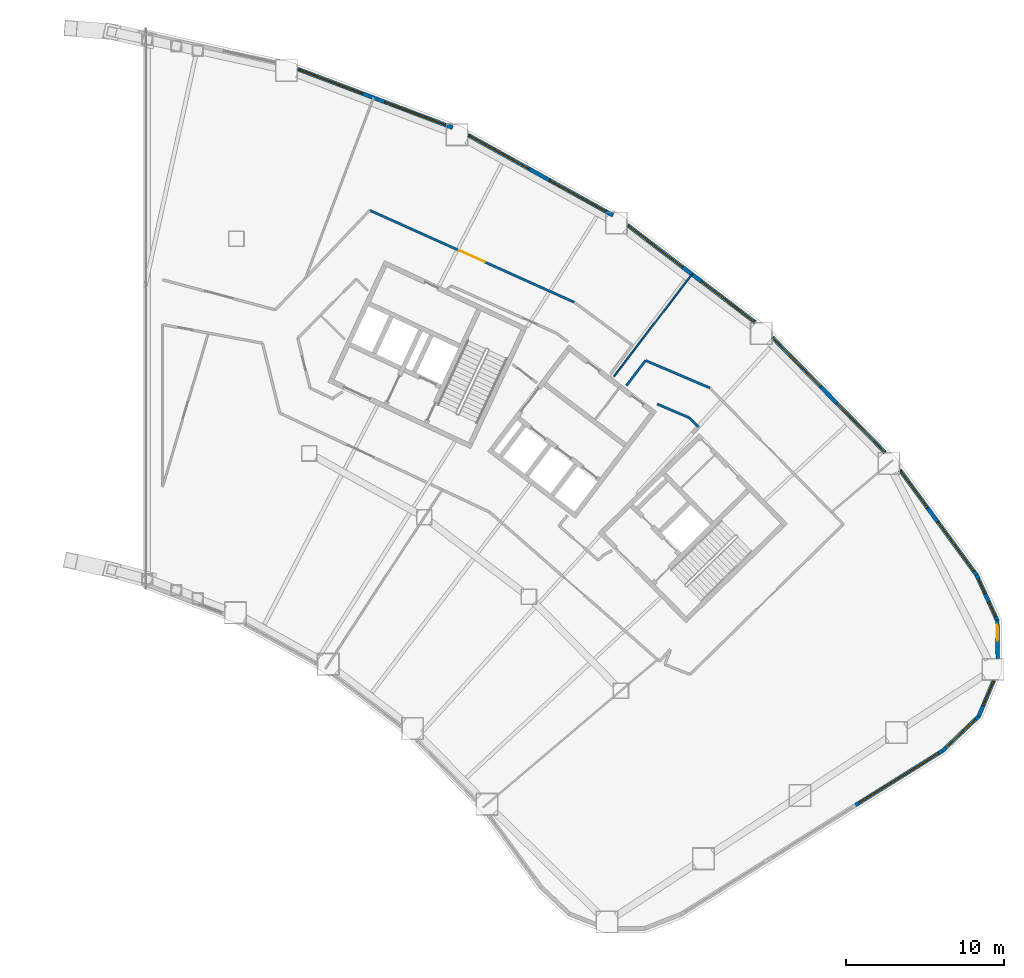
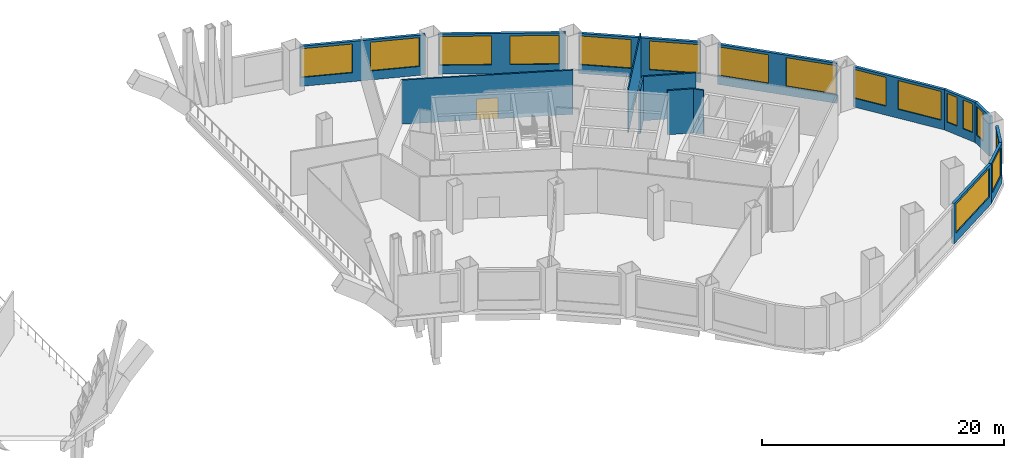
# One storey, part 11 of 14: 16 walls, 16 windows, 1 door, 17 openings.
"""IFC4 building model written with IfcOpenShell, lengths in metres."""

import ifcopenshell
import ifcopenshell.guid

model = None  # the IFC model being written
_history = None  # IfcOwnerHistory: only IFC2X3 demands one
_inside = {}  # id of a spatial element -> (the spatial element, [elements in it])
_under = {}  # id of a project, library or spatial element -> (it, [spatial elements below it])
_declared = {}  # id of a project -> (the project, [libraries it declares])
_typed = {}  # id of a type object -> (the type object, [elements of that type])
_made_of = {}  # id of a material, layer set ... -> (it, [elements and type objects made of it])


def new_model(schema):
    """Start an empty IFC model of exactly this schema.

    Asked for "IFC4X3", IfcOpenShell would pick the latest addendum, in which some entities
    have other attributes; the version numbers below select the first issue.
    IFC2X3 requires an IfcOwnerHistory on every rooted entity: one is made here for all.
    """
    global model, _history
    if schema == "IFC4X3":
        model = ifcopenshell.file(schema_version=(4, 3, 0, 0))
    else:
        model = ifcopenshell.file(schema=schema)
    _inside.clear()
    _under.clear()
    _declared.clear()
    _typed.clear()
    _made_of.clear()
    _history = None
    if model.schema == "IFC2X3":
        org = make("IfcOrganization", Name="unknown")
        user = make(
            "IfcPersonAndOrganization",
            ThePerson=make("IfcPerson", FamilyName="unknown"),
            TheOrganization=org,
        )
        app = make(
            "IfcApplication",
            ApplicationDeveloper=org,
            Version="unknown",
            ApplicationFullName="unknown",
            ApplicationIdentifier="unknown",
        )
        _history = make(
            "IfcOwnerHistory",
            OwningUser=user,
            OwningApplication=app,
            ChangeAction="ADDED",
            CreationDate=0,
        )
    return model


def make(cls, **values):
    """One entity of the class cls with the attributes given. An attribute that is None is left unset."""
    return model.create_entity(
        cls, **{name: value for name, value in values.items() if value is not None}
    )


def rooted(cls, **values):
    """An entity with a GlobalId (a new one), such as an element, a storey or a relation."""
    return make(cls, GlobalId=ifcopenshell.guid.new(), OwnerHistory=_history, **values)


def si_unit(unit_type, name, prefix=None):
    """IfcSIUnit, for example si_unit("LENGTHUNIT", "METRE", prefix="MILLI")."""
    return make("IfcSIUnit", UnitType=unit_type, Prefix=prefix, Name=name)


def assignment(units):
    """IfcUnitAssignment: the units of a project."""
    return None if units is None else make("IfcUnitAssignment", Units=units)


def point(xyz):
    """IfcCartesianPoint."""
    return None if xyz is None else make("IfcCartesianPoint", Coordinates=xyz)


def direction(xyz):
    """IfcDirection."""
    return None if xyz is None else make("IfcDirection", DirectionRatios=xyz)


def frame(location, z_axis=None, x_axis=None):
    """IfcAxis2Placement3D, a coordinate frame: its origin and axes. An axis left out is left unset."""
    return make(
        "IfcAxis2Placement3D",
        Location=point(location),
        Axis=direction(z_axis),
        RefDirection=direction(x_axis),
    )


def frame_2d(location, x_axis=None):
    """IfcAxis2Placement2D, a coordinate frame in the plane: its origin and x axis."""
    return make(
        "IfcAxis2Placement2D", Location=point(location), RefDirection=direction(x_axis)
    )


def origin():
    """The frame at (0, 0, 0) with its axes left unset."""
    return frame((0.0, 0.0, 0.0))


def place(relative_to, where):
    """IfcLocalPlacement: puts the frame where relative to a parent placement (None: the world)."""
    return make(
        "IfcLocalPlacement", PlacementRelTo=relative_to, RelativePlacement=where
    )


def context(
    kind, dimensions, precision=None, world=None, true_north=None, identifier=None
):
    """IfcGeometricRepresentationContext, for example the 3D "Model" context."""
    return make(
        "IfcGeometricRepresentationContext",
        ContextIdentifier=identifier,
        ContextType=kind,
        CoordinateSpaceDimension=dimensions,
        Precision=precision,
        WorldCoordinateSystem=world,
        TrueNorth=true_north,
    )


def subcontext(parent, identifier, kind, view, scale=None):
    """IfcGeometricRepresentationSubContext, for example "Body" below "Model"."""
    return make(
        "IfcGeometricRepresentationSubContext",
        ContextIdentifier=identifier,
        ContextType=kind,
        ParentContext=parent,
        TargetScale=scale,
        TargetView=view,
    )


def project(units=None, contexts=None):
    """IfcProject with its units and contexts."""
    return rooted(
        "IfcProject",
        Name="project",
        RepresentationContexts=contexts,
        UnitsInContext=assignment(units),
    )


def spatial(cls, under=None, at=None, **own):
    """A site, building, storey or space (cls), placed at a placement, below another one or the project."""
    s = rooted(cls, ObjectPlacement=at, **own)
    if under is not None:
        _under.setdefault(under.id(), (under, []))[1].append(s)
    return s


def profile(cls, at=None, kind="AREA", **sizes):
    """A parametric profile (cls). Its sizes go by their IFC names, for example OverallWidth=200.0."""
    return make(cls, ProfileType=kind, Position=at, **sizes)


def rectangle(**sizes):
    """IfcRectangleProfileDef."""
    return profile("IfcRectangleProfileDef", **sizes)


def extrude(swept, where, along, depth):
    """IfcExtrudedAreaSolid: the profile swept, set in the frame where, extruded along a direction by depth."""
    return make(
        "IfcExtrudedAreaSolid",
        SweptArea=swept,
        Position=where,
        ExtrudedDirection=direction(along),
        Depth=depth,
    )


def shape(context_of_items, identifier, shape_type, items):
    """IfcShapeRepresentation: the items that make up one representation, for example the "Body"."""
    return make(
        "IfcShapeRepresentation",
        ContextOfItems=context_of_items,
        RepresentationIdentifier=identifier,
        RepresentationType=shape_type,
        Items=items,
    )


def material(Name=None, Category=None):
    """IfcMaterial."""
    return make("IfcMaterial", Name=Name, Category=Category)


def layer(
    of_material, thickness, ventilated=None, Name=None, Category=None, Priority=None
):
    """IfcMaterialLayer: one layer of a wall or slab, of a material (None: an air gap)."""
    return make(
        "IfcMaterialLayer",
        Material=of_material,
        LayerThickness=thickness,
        IsVentilated=ventilated,
        Name=Name,
        Category=Category,
        Priority=Priority,
    )


def layer_set(layers, Name=None):
    """IfcMaterialLayerSet."""
    return make("IfcMaterialLayerSet", MaterialLayers=layers, LayerSetName=Name)


def made_of(thing, what):
    """Note that an element or type object is made of a material, layer set ...; save() writes the relation."""
    if what is not None:
        _made_of.setdefault(what.id(), (what, []))[1].append(thing)
    return thing


def type_object(cls, material=None, **own):
    """A type object (cls), such as IfcWallType, which elements share."""
    return made_of(rooted(cls, **own), material)


def element(
    cls,
    number,
    at=None,
    inside=None,
    cuts=None,
    type_object=None,
    material=None,
    context=None,
    identifier="Body",
    shape_type=None,
    held_by="IfcProductDefinitionShape",
    body=None,
    shapes=None,
    **own,
):
    """One element of the class cls, such as IfcWall. Its Tag is "e" and its number.

    at: its placement. inside: the storey or other place that contains it. cuts: it is an
    opening in that element (IfcRelVoidsElement). A single representation is given by context,
    identifier, shape_type and body (its items); several are given by shapes. held_by: the class
    of the entity that holds the representations. save() writes the other relations.
    """
    e = rooted(cls, Tag="e%d" % number, ObjectPlacement=at, **own)
    if body is not None:
        shapes = [shape(context, identifier, shape_type, body)]
    if shapes is not None:
        e.Representation = make(held_by, Representations=shapes)
    if inside is not None:
        _inside.setdefault(inside.id(), (inside, []))[1].append(e)
    if cuts is not None:
        rooted(
            "IfcRelVoidsElement", RelatingBuildingElement=cuts, RelatedOpeningElement=e
        )
    if type_object is not None:
        _typed.setdefault(type_object.id(), (type_object, []))[1].append(e)
    return made_of(e, material)


def fill(opening, filler):
    """IfcRelFillsElement: the door or window that sits in an opening."""
    return rooted(
        "IfcRelFillsElement",
        RelatingOpeningElement=opening,
        RelatedBuildingElement=filler,
    )


def aggregate(whole, parts):
    """IfcRelAggregates: a whole, such as a stair, and the parts it consists of."""
    return rooted("IfcRelAggregates", RelatingObject=whole, RelatedObjects=parts)


def save(model, path):
    """Write the relations noted so far, then the file.

    IfcRelAggregates (storeys below a building ...), IfcRelContainedInSpatialStructure (elements
    in a storey), IfcRelDefinesByType, IfcRelAssociatesMaterial and IfcRelDeclares: one each for
    every whole, place, type object, material and project.
    """
    for whole, parts in _under.values():
        aggregate(whole, parts)
    for where, things in _inside.values():
        rooted(
            "IfcRelContainedInSpatialStructure",
            RelatedElements=things,
            RelatingStructure=where,
        )
    for kind, things in _typed.values():
        rooted("IfcRelDefinesByType", RelatedObjects=things, RelatingType=kind)
    for what, things in _made_of.values():
        rooted("IfcRelAssociatesMaterial", RelatedObjects=things, RelatingMaterial=what)
    for by, libraries in _declared.values():
        rooted("IfcRelDeclares", RelatingContext=by, RelatedDefinitions=libraries)
    model.write(path)


model = new_model("IFC4")

# Units and contexts
model_context = context("Model", 3, precision=1e-05, world=origin(), true_north=direction((0.0, 1.0)))
body_context = subcontext(model_context, "Body", "Model", "MODEL_VIEW")
ifc_project = project(units=[si_unit("LENGTHUNIT", "METRE"), si_unit("AREAUNIT", "SQUARE_METRE"), si_unit("VOLUMEUNIT", "CUBIC_METRE"), si_unit("PLANEANGLEUNIT", "RADIAN"), si_unit("MASSUNIT", "GRAM", prefix="KILO")], contexts=[model_context])

# Site, building, storey
site_placement = place(None, origin())
site = spatial("IfcSite", under=ifc_project, at=site_placement, CompositionType="ELEMENT")
building_placement = place(site_placement, origin())
building = spatial("IfcBuilding", under=site, at=building_placement, Name="Tuul Gate Civic Tower", CompositionType="ELEMENT")
storey_placement = place(building_placement, frame((0.0, 0.0, 17.10009765625)))
storey = spatial("IfcBuildingStorey", under=building, at=storey_placement, Name="Level 03", CompositionType="ELEMENT", Elevation=17.10009765625)

# Walls
ifc_material_1 = material(Name="Gypsum board partition")
ifc_layer_1 = layer(ifc_material_1, 0.14990234375)
ifc_layer_set_1 = layer_set([ifc_layer_1], Name="Gypsum board partition")
wall_type_1 = type_object("IfcWallType", Name="Corridor wall P150", PredefinedType="PARTITIONING", material=ifc_layer_set_1)
wall_1_placement = place(storey_placement, frame((45.544921875, -1.79296875, 0.0), z_axis=(0.0, 0.0, 1.0), x_axis=(0.919723935642, -0.392565768002, 0.0)))
element("IfcWall", 1, at=wall_1_placement, inside=storey, type_object=wall_type_1, Name="p005", PredefinedType="PARTITIONING", context=body_context, shape_type="SweptSolid", body=[
    extrude(rectangle(XDim=4.420654296875, YDim=0.14990234375, at=frame_2d((2.21044921875, 0.0))), origin(), (0.0, 0.0, 1.0), 4.449951171875),
])
wall_2_placement = place(storey_placement, frame((44.33251953125, -3.38427734375, 0.0), z_axis=(0.0, 0.0, 1.0), x_axis=(0.605631101873, 0.795745542522, 0.0)))
element("IfcWall", 2, at=wall_2_placement, inside=storey, type_object=wall_type_1, Name="p006", PredefinedType="PARTITIONING", context=body_context, shape_type="SweptSolid", body=[
    extrude(rectangle(XDim=1.99951171875, YDim=0.14990234375, at=frame_2d((0.999755859375, 0.0))), origin(), (0.0, 0.0, 1.0), 4.449951171875),
])

# Wall, opening, door
wall_3_placement = place(storey_placement, frame((28.06201171875, 7.724609375, 0.0), z_axis=(0.0, 0.0, 1.0), x_axis=(0.912101178479, -0.409965169517, 0.0)))
wall_3 = element("IfcWall", 3, at=wall_3_placement, inside=storey, type_object=wall_type_1, Name="p010", PredefinedType="PARTITIONING", context=body_context, shape_type="SweptSolid", body=[
    extrude(rectangle(XDim=14.205322265625, YDim=0.14990234375, at=frame_2d((7.1025390625, 0.0))), origin(), (0.0, 0.0, 1.0), 4.449951171875),
])
opening_1_placement = place(wall_3_placement, frame((6.20263671875, 0.0, 0.0)))
opening_1 = element("IfcOpeningElement", 4, at=opening_1_placement, cuts=wall_3, Name="Opening QC-D02", PredefinedType="OPENING", context=body_context, shape_type="SweptSolid", body=[
    extrude(rectangle(XDim=1.800048828125, YDim=2.10009765625, at=frame_2d((0.89990234375, 1.050048828125))), frame((0.0, 0.0849609375, 0.0), z_axis=(0.0, -1.0, 0.0), x_axis=(1.0, 0.0, 0.0)), (0.0, 0.0, 1.0), 0.169921875),
])
ifc_material_2 = material(Name="Timber door leaf, double", Category="wood")
door_type = type_object("IfcDoorType", Name="Door D18", OperationType="DOUBLE_DOOR_SINGLE_SWING", PredefinedType="DOOR", material=ifc_material_2)
door_placement = place(opening_1_placement, origin())
door = element("IfcDoor", 5, at=door_placement, inside=storey, type_object=door_type, Name="Door QC-D02", OperationType="DOUBLE_DOOR_SINGLE_SWING", OverallHeight=2.10009765625, OverallWidth=1.800048828125, PredefinedType="DOOR", context=body_context, shape_type="SweptSolid", body=[
    extrude(rectangle(XDim=1.800048828125, YDim=2.10009765625, at=frame_2d((0.89990234375, 1.050048828125))), frame((0.0, 0.02490234375, 0.0), z_axis=(0.0, -1.0, 0.0), x_axis=(1.0, 0.0, 0.0)), (0.0, 0.0, 1.0), 0.050048828125),
])
fill(opening_1, door)

# Walls
wall_4_placement = place(storey_placement, frame((46.287841796875, -4.556396484375, 0.0), z_axis=(0.0, 0.0, 1.0), x_axis=(0.919676428858, -0.392677050772, 0.0)))
element("IfcWall", 6, at=wall_4_placement, inside=storey, type_object=wall_type_1, Name="p054", PredefinedType="PARTITIONING", context=body_context, shape_type="SweptSolid", body=[
    extrude(rectangle(XDim=2.20654296875, YDim=0.14990234375, at=frame_2d((1.103271484375, 0.0))), origin(), (0.0, 0.0, 1.0), 4.449951171875),
])
wall_5_placement = place(storey_placement, frame((48.317138671875, -5.4228515625, 0.0), z_axis=(0.0, 0.0, 1.0), x_axis=(0.700220101386, -0.713927033817, 0.0)))
element("IfcWall", 7, at=wall_5_placement, inside=storey, type_object=wall_type_1, Name="p055", PredefinedType="PARTITIONING", context=body_context, shape_type="SweptSolid", body=[
    extrude(rectangle(XDim=0.837158203125, YDim=0.14990234375, at=frame_2d((0.41845703125, 0.0))), origin(), (0.0, 0.0, 1.0), 4.449951171875),
])

# Wall, opening, window
ifc_material_3 = material(Name="Precast concrete C40/50", Category="concrete")
ifc_layer_2 = layer(ifc_material_3, 0.25)
ifc_layer_set_2 = layer_set([ifc_layer_2], Name="Precast concrete C40/50")
wall_type_2 = type_object("IfcWallType", Name="External wall", PredefinedType="STANDARD", material=ifc_layer_set_2)
wall_6_placement = place(storey_placement, frame((64.36962890625, -26.53076171875, 0.0), z_axis=(0.0, 0.0, 1.0), x_axis=(0.722378510216, 0.69149785826, 0.0)))
wall_6 = element("IfcWall", 8, at=wall_6_placement, inside=storey, type_object=wall_type_2, Name="External wall", PredefinedType="STANDARD", context=body_context, shape_type="SweptSolid", body=[
    extrude(rectangle(XDim=3.201904296875, YDim=0.25, at=frame_2d((1.60107421875, 0.0))), origin(), (0.0, 0.0, 1.0), 4.0498046875),
])
opening_2_placement = place(wall_6_placement, frame((0.301025390625, 0.0, 0.89990234375)))
opening_2 = element("IfcOpeningElement", 9, at=opening_2_placement, cuts=wall_6, Name="Opening W8", PredefinedType="OPENING", context=body_context, shape_type="SweptSolid", body=[
    extrude(rectangle(XDim=2.60009765625, YDim=2.89990234375, at=frame_2d((1.300048828125, 1.449951171875))), frame((0.0, 0.135009765625, 0.0), z_axis=(0.0, -1.0, 0.0), x_axis=(1.0, 0.0, 0.0)), (0.0, 0.0, 1.0), 0.27001953125),
])
ifc_material_4 = material(Name="Glass", Category="glass")
window_type_1 = type_object("IfcWindowType", Name="Window W8 2600 x 2900", PartitioningType="SINGLE_PANEL", PredefinedType="WINDOW", material=ifc_material_4)
window_1_placement = place(opening_2_placement, origin())
window_1 = element("IfcWindow", 10, at=window_1_placement, inside=storey, type_object=window_type_1, Name="Window", OverallHeight=2.89990234375, OverallWidth=2.60009765625, PartitioningType="SINGLE_PANEL", PredefinedType="WINDOW", context=body_context, shape_type="SweptSolid", body=[
    extrude(rectangle(XDim=2.60009765625, YDim=2.89990234375, at=frame_2d((1.300048828125, 1.449951171875))), frame((0.0, 0.030029296875, 0.0), z_axis=(0.0, -1.0, 0.0), x_axis=(1.0, 0.0, 0.0)), (0.0, 0.0, 1.0), 0.06005859375),
])
fill(opening_2, window_1)

wall_7_placement = place(storey_placement, frame((66.653564453125, -24.35888671875, 0.0), z_axis=(0.0, 0.0, 1.0), x_axis=(0.38573160677, 0.922611038054, 0.0)))
wall_7 = element("IfcWall", 11, at=wall_7_placement, inside=storey, type_object=wall_type_2, Name="External wall", PredefinedType="STANDARD", context=body_context, shape_type="SweptSolid", body=[
    extrude(rectangle(XDim=2.484130859375, YDim=0.25, at=frame_2d((1.2421875, 0.0))), origin(), (0.0, 0.0, 1.0), 4.0498046875),
])
opening_3_placement = place(wall_7_placement, frame((0.7509765625, 0.0, 0.89990234375)))
opening_3 = element("IfcOpeningElement", 12, at=opening_3_placement, cuts=wall_7, Name="Opening W9", PredefinedType="OPENING", context=body_context, shape_type="SweptSolid", body=[
    extrude(rectangle(XDim=1.699951171875, YDim=2.89990234375, at=frame_2d((0.85009765625, 1.449951171875))), frame((0.0, 0.135009765625, 0.0), z_axis=(0.0, -1.0, 0.0), x_axis=(1.0, 0.0, 0.0)), (0.0, 0.0, 1.0), 0.27001953125),
])
ifc_material_5 = material(Name="Glass", Category="glass")
window_type_2 = type_object("IfcWindowType", Name="Window W9 1700 x 2900", PartitioningType="SINGLE_PANEL", PredefinedType="WINDOW", material=ifc_material_5)
window_2_placement = place(opening_3_placement, origin())
window_2 = element("IfcWindow", 13, at=window_2_placement, inside=storey, type_object=window_type_2, Name="Window", OverallHeight=2.89990234375, OverallWidth=1.699951171875, PartitioningType="SINGLE_PANEL", PredefinedType="WINDOW", context=body_context, shape_type="SweptSolid", body=[
    extrude(rectangle(XDim=1.699951171875, YDim=2.89990234375, at=frame_2d((0.85009765625, 1.449951171875))), frame((0.0, 0.030029296875, 0.0), z_axis=(0.0, -1.0, 0.0), x_axis=(1.0, 0.0, 0.0)), (0.0, 0.0, 1.0), 0.06005859375),
])
fill(opening_3, window_2)

wall_8_placement = place(storey_placement, frame((67.867431640625, -20.6669921875, 0.0), z_axis=(0.0, 0.0, 1.0), x_axis=(-0.014662663038, 0.999892497378, 0.0)))
wall_8 = element("IfcWall", 14, at=wall_8_placement, inside=storey, type_object=wall_type_2, Name="External wall", PredefinedType="STANDARD", context=body_context, shape_type="SweptSolid", body=[
    extrude(rectangle(XDim=2.414306640625, YDim=0.25, at=frame_2d((1.20703125, 0.0))), origin(), (0.0, 0.0, 1.0), 4.0498046875),
])
opening_4_placement = place(wall_8_placement, frame((1.11376953125, 0.0, 0.89990234375)))
opening_4 = element("IfcOpeningElement", 15, at=opening_4_placement, cuts=wall_8, Name="Opening W10", PredefinedType="OPENING", context=body_context, shape_type="SweptSolid", body=[
    extrude(rectangle(XDim=1.0, YDim=2.89990234375, at=frame_2d((0.5, 1.449951171875))), frame((0.0, 0.135009765625, 0.0), z_axis=(0.0, -1.0, 0.0), x_axis=(1.0, 0.0, 0.0)), (0.0, 0.0, 1.0), 0.27001953125),
])
ifc_material_6 = material(Name="Glass", Category="glass")
window_type_3 = type_object("IfcWindowType", Name="Window W10 1000 x 2900", PartitioningType="SINGLE_PANEL", PredefinedType="WINDOW", material=ifc_material_6)
window_3_placement = place(opening_4_placement, origin())
window_3 = element("IfcWindow", 16, at=window_3_placement, inside=storey, type_object=window_type_3, Name="Window", OverallHeight=2.89990234375, OverallWidth=1.0, PartitioningType="SINGLE_PANEL", PredefinedType="WINDOW", context=body_context, shape_type="SweptSolid", body=[
    extrude(rectangle(XDim=1.0, YDim=2.89990234375, at=frame_2d((0.5, 1.449951171875))), frame((0.0, 0.030029296875, 0.0), z_axis=(0.0, -1.0, 0.0), x_axis=(1.0, 0.0, 0.0)), (0.0, 0.0, 1.0), 0.06005859375),
])
fill(opening_4, window_3)

# Wall, openings, windows
wall_9_placement = place(storey_placement, frame((67.843017578125, -18.302490234375, 0.0), z_axis=(0.0, 0.0, 1.0), x_axis=(-0.412481289983, 0.910966072592, 0.0)))
wall_9 = element("IfcWall", 17, at=wall_9_placement, inside=storey, type_object=wall_type_2, Name="External wall", PredefinedType="STANDARD", context=body_context, shape_type="SweptSolid", body=[
    extrude(rectangle(XDim=3.2021484375, YDim=0.25, at=frame_2d((1.60107421875, 0.0))), origin(), (0.0, 0.0, 1.0), 4.0498046875),
])
opening_5_placement = place(wall_9_placement, frame((0.300537109375, 0.0, 0.89990234375)))
opening_5 = element("IfcOpeningElement", 18, at=opening_5_placement, cuts=wall_9, Name="Opening W10", PredefinedType="OPENING", context=body_context, shape_type="SweptSolid", body=[
    extrude(rectangle(XDim=1.0, YDim=2.89990234375, at=frame_2d((0.5, 1.449951171875))), frame((0.0, 0.135009765625, 0.0), z_axis=(0.0, -1.0, 0.0), x_axis=(1.0, 0.0, 0.0)), (0.0, 0.0, 1.0), 0.27001953125),
])
opening_6_placement = place(wall_9_placement, frame((1.901611328125, 0.0, 0.89990234375)))
opening_6 = element("IfcOpeningElement", 19, at=opening_6_placement, cuts=wall_9, Name="Opening W10", PredefinedType="OPENING", context=body_context, shape_type="SweptSolid", body=[
    extrude(rectangle(XDim=1.0, YDim=2.89990234375, at=frame_2d((0.5, 1.449951171875))), frame((0.0, 0.135009765625, 0.0), z_axis=(0.0, -1.0, 0.0), x_axis=(1.0, 0.0, 0.0)), (0.0, 0.0, 1.0), 0.27001953125),
])
window_4_placement = place(opening_5_placement, origin())
window_4 = element("IfcWindow", 20, at=window_4_placement, inside=storey, type_object=window_type_3, Name="Window", OverallHeight=2.89990234375, OverallWidth=1.0, PartitioningType="SINGLE_PANEL", PredefinedType="WINDOW", context=body_context, shape_type="SweptSolid", body=[
    extrude(rectangle(XDim=1.0, YDim=2.89990234375, at=frame_2d((0.5, 1.449951171875))), frame((0.0, 0.030029296875, 0.0), z_axis=(0.0, -1.0, 0.0), x_axis=(1.0, 0.0, 0.0)), (0.0, 0.0, 1.0), 0.06005859375),
])
fill(opening_5, window_4)
window_5_placement = place(opening_6_placement, origin())
window_5 = element("IfcWindow", 21, at=window_5_placement, inside=storey, type_object=window_type_3, Name="Window", OverallHeight=2.89990234375, OverallWidth=1.0, PartitioningType="SINGLE_PANEL", PredefinedType="WINDOW", context=body_context, shape_type="SweptSolid", body=[
    extrude(rectangle(XDim=1.0, YDim=2.89990234375, at=frame_2d((0.5, 1.449951171875))), frame((0.0, 0.030029296875, 0.0), z_axis=(0.0, -1.0, 0.0), x_axis=(1.0, 0.0, 0.0)), (0.0, 0.0, 1.0), 0.06005859375),
])
fill(opening_6, window_5)

wall_10_placement = place(storey_placement, frame((66.53515625, -15.40771484375, 0.0), z_axis=(0.0, 0.0, 1.0), x_axis=(-0.589883240256, 0.807488552777, 0.0)))
wall_10 = element("IfcWall", 22, at=wall_10_placement, inside=storey, type_object=wall_type_2, Name="External wall", PredefinedType="STANDARD", context=body_context, shape_type="SweptSolid", body=[
    extrude(rectangle(XDim=8.26318359375, YDim=0.25, at=frame_2d((4.131591796875, 0.0))), origin(), (0.0, 0.0, 1.0), 4.0498046875),
])
opening_7_placement = place(wall_10_placement, frame((0.309326171875, 0.0, 0.89990234375)))
opening_7 = element("IfcOpeningElement", 23, at=opening_7_placement, cuts=wall_10, Name="Opening W11", PredefinedType="OPENING", context=body_context, shape_type="SweptSolid", body=[
    extrude(rectangle(XDim=3.89990234375, YDim=2.89990234375, at=frame_2d((1.949951171875, 1.449951171875))), frame((0.0, 0.135009765625, 0.0), z_axis=(0.0, -1.0, 0.0), x_axis=(1.0, 0.0, 0.0)), (0.0, 0.0, 1.0), 0.27001953125),
])
opening_8_placement = place(wall_10_placement, frame((5.277099609375, 0.0, 0.89990234375)))
opening_8 = element("IfcOpeningElement", 24, at=opening_8_placement, cuts=wall_10, Name="Opening W83", PredefinedType="OPENING", context=body_context, shape_type="SweptSolid", body=[
    extrude(rectangle(XDim=2.89990234375, YDim=2.89990234375, at=frame_2d((1.449951171875, 1.449951171875))), frame((0.0, 0.135009765625, 0.0), z_axis=(0.0, -1.0, 0.0), x_axis=(1.0, 0.0, 0.0)), (0.0, 0.0, 1.0), 0.27001953125),
])
ifc_material_7 = material(Name="Glass", Category="glass")
window_type_4 = type_object("IfcWindowType", Name="Window W11 3900 x 2900", PartitioningType="SINGLE_PANEL", PredefinedType="WINDOW", material=ifc_material_7)
window_6_placement = place(opening_7_placement, origin())
window_6 = element("IfcWindow", 25, at=window_6_placement, inside=storey, type_object=window_type_4, Name="Window", OverallHeight=2.89990234375, OverallWidth=3.89990234375, PartitioningType="SINGLE_PANEL", PredefinedType="WINDOW", context=body_context, shape_type="SweptSolid", body=[
    extrude(rectangle(XDim=3.89990234375, YDim=2.89990234375, at=frame_2d((1.949951171875, 1.449951171875))), frame((0.0, 0.030029296875, 0.0), z_axis=(0.0, -1.0, 0.0), x_axis=(1.0, 0.0, 0.0)), (0.0, 0.0, 1.0), 0.06005859375),
])
fill(opening_7, window_6)
ifc_material_8 = material(Name="Glass", Category="glass")
window_type_5 = type_object("IfcWindowType", Name="Window W83 2900 x 2900", PartitioningType="SINGLE_PANEL", PredefinedType="WINDOW", material=ifc_material_8)
window_7_placement = place(opening_8_placement, origin())
window_7 = element("IfcWindow", 26, at=window_7_placement, inside=storey, type_object=window_type_5, Name="Window", OverallHeight=2.89990234375, OverallWidth=2.89990234375, PartitioningType="SINGLE_PANEL", PredefinedType="WINDOW", context=body_context, shape_type="SweptSolid", body=[
    extrude(rectangle(XDim=2.89990234375, YDim=2.89990234375, at=frame_2d((1.449951171875, 1.449951171875))), frame((0.0, 0.030029296875, 0.0), z_axis=(0.0, -1.0, 0.0), x_axis=(1.0, 0.0, 0.0)), (0.0, 0.0, 1.0), 0.06005859375),
])
fill(opening_8, window_7)

wall_11_placement = place(storey_placement, frame((60.72998046875, -7.6279296875, 0.0), z_axis=(0.0, 0.0, 1.0), x_axis=(-0.700010487511, 0.714132562886, 0.0)))
wall_11 = element("IfcWall", 27, at=wall_11_placement, inside=storey, type_object=wall_type_2, Name="External wall", PredefinedType="STANDARD", context=body_context, shape_type="SweptSolid", body=[
    extrude(rectangle(XDim=10.217041015625, YDim=0.25, at=frame_2d((5.1083984375, 0.0))), origin(), (0.0, 0.0, 1.0), 4.0498046875),
])
opening_9_placement = place(wall_11_placement, frame((0.05908203125, 0.0, 0.89990234375)))
opening_9 = element("IfcOpeningElement", 28, at=opening_9_placement, cuts=wall_11, Name="Opening W13", PredefinedType="OPENING", context=body_context, shape_type="SweptSolid", body=[
    extrude(rectangle(XDim=4.300048828125, YDim=2.89990234375, at=frame_2d((2.14990234375, 1.449951171875))), frame((0.0, 0.135009765625, 0.0), z_axis=(0.0, -1.0, 0.0), x_axis=(1.0, 0.0, 0.0)), (0.0, 0.0, 1.0), 0.27001953125),
])
opening_10_placement = place(wall_11_placement, frame((5.864501953125, 0.0, 0.89990234375)))
opening_10 = element("IfcOpeningElement", 29, at=opening_10_placement, cuts=wall_11, Name="Opening W13", PredefinedType="OPENING", context=body_context, shape_type="SweptSolid", body=[
    extrude(rectangle(XDim=4.300048828125, YDim=2.89990234375, at=frame_2d((2.14990234375, 1.449951171875))), frame((0.0, 0.135009765625, 0.0), z_axis=(0.0, -1.0, 0.0), x_axis=(1.0, 0.0, 0.0)), (0.0, 0.0, 1.0), 0.27001953125),
])
ifc_material_9 = material(Name="Glass", Category="glass")
window_type_6 = type_object("IfcWindowType", Name="Window W13 4300 x 2900", PartitioningType="SINGLE_PANEL", PredefinedType="WINDOW", material=ifc_material_9)
window_8_placement = place(opening_9_placement, origin())
window_8 = element("IfcWindow", 30, at=window_8_placement, inside=storey, type_object=window_type_6, Name="Window", OverallHeight=2.89990234375, OverallWidth=4.300048828125, PartitioningType="SINGLE_PANEL", PredefinedType="WINDOW", context=body_context, shape_type="SweptSolid", body=[
    extrude(rectangle(XDim=4.300048828125, YDim=2.89990234375, at=frame_2d((2.14990234375, 1.449951171875))), frame((0.0, 0.030029296875, 0.0), z_axis=(0.0, -1.0, 0.0), x_axis=(1.0, 0.0, 0.0)), (0.0, 0.0, 1.0), 0.06005859375),
])
fill(opening_9, window_8)
window_9_placement = place(opening_10_placement, origin())
window_9 = element("IfcWindow", 31, at=window_9_placement, inside=storey, type_object=window_type_6, Name="Window", OverallHeight=2.89990234375, OverallWidth=4.300048828125, PartitioningType="SINGLE_PANEL", PredefinedType="WINDOW", context=body_context, shape_type="SweptSolid", body=[
    extrude(rectangle(XDim=4.300048828125, YDim=2.89990234375, at=frame_2d((2.14990234375, 1.449951171875))), frame((0.0, 0.030029296875, 0.0), z_axis=(0.0, -1.0, 0.0), x_axis=(1.0, 0.0, 0.0)), (0.0, 0.0, 1.0), 0.06005859375),
])
fill(opening_10, window_9)

wall_12_placement = place(storey_placement, frame((52.495361328125, 0.617919921875, 0.0), z_axis=(0.0, 0.0, 1.0), x_axis=(-0.795598395873, 0.605824390796, 0.0)))
wall_12 = element("IfcWall", 32, at=wall_12_placement, inside=storey, type_object=wall_type_2, Name="External wall", PredefinedType="STANDARD", context=body_context, shape_type="SweptSolid", body=[
    extrude(rectangle(XDim=10.186279296875, YDim=0.25, at=frame_2d((5.09326171875, 0.0))), origin(), (0.0, 0.0, 1.0), 4.0498046875),
])
opening_11_placement = place(wall_12_placement, frame((0.0849609375, 0.0, 0.89990234375)))
opening_11 = element("IfcOpeningElement", 33, at=opening_11_placement, cuts=wall_12, Name="Opening W84", PredefinedType="OPENING", context=body_context, shape_type="SweptSolid", body=[
    extrude(rectangle(XDim=4.199951171875, YDim=2.89990234375, at=frame_2d((2.10009765625, 1.449951171875))), frame((0.0, 0.135009765625, 0.0), z_axis=(0.0, -1.0, 0.0), x_axis=(1.0, 0.0, 0.0)), (0.0, 0.0, 1.0), 0.27001953125),
])
opening_12_placement = place(wall_12_placement, frame((5.797607421875, 0.0, 0.89990234375)))
opening_12 = element("IfcOpeningElement", 34, at=opening_12_placement, cuts=wall_12, Name="Opening W13", PredefinedType="OPENING", context=body_context, shape_type="SweptSolid", body=[
    extrude(rectangle(XDim=4.300048828125, YDim=2.89990234375, at=frame_2d((2.14990234375, 1.449951171875))), frame((0.0, 0.135009765625, 0.0), z_axis=(0.0, -1.0, 0.0), x_axis=(1.0, 0.0, 0.0)), (0.0, 0.0, 1.0), 0.27001953125),
])
window_10_placement = place(opening_12_placement, origin())
window_10 = element("IfcWindow", 35, at=window_10_placement, inside=storey, type_object=window_type_6, Name="Window", OverallHeight=2.89990234375, OverallWidth=4.300048828125, PartitioningType="SINGLE_PANEL", PredefinedType="WINDOW", context=body_context, shape_type="SweptSolid", body=[
    extrude(rectangle(XDim=4.300048828125, YDim=2.89990234375, at=frame_2d((2.14990234375, 1.449951171875))), frame((0.0, 0.030029296875, 0.0), z_axis=(0.0, -1.0, 0.0), x_axis=(1.0, 0.0, 0.0)), (0.0, 0.0, 1.0), 0.06005859375),
])
fill(opening_12, window_10)
ifc_material_10 = material(Name="Glass", Category="glass")
window_type_7 = type_object("IfcWindowType", Name="Window W84 4200 x 2900", PartitioningType="SINGLE_PANEL", PredefinedType="WINDOW", material=ifc_material_10)
window_11_placement = place(opening_11_placement, origin())
window_11 = element("IfcWindow", 36, at=window_11_placement, inside=storey, type_object=window_type_7, Name="Window", OverallHeight=2.89990234375, OverallWidth=4.199951171875, PartitioningType="SINGLE_PANEL", PredefinedType="WINDOW", context=body_context, shape_type="SweptSolid", body=[
    extrude(rectangle(XDim=4.199951171875, YDim=2.89990234375, at=frame_2d((2.10009765625, 1.449951171875))), frame((0.0, 0.030029296875, 0.0), z_axis=(0.0, -1.0, 0.0), x_axis=(1.0, 0.0, 0.0)), (0.0, 0.0, 1.0), 0.06005859375),
])
fill(opening_11, window_11)

wall_13_placement = place(storey_placement, frame((43.48388671875, 7.39990234375, 0.0), z_axis=(0.0, 0.0, 1.0), x_axis=(-0.874646654652, 0.48476100246, 0.0)))
wall_13 = element("IfcWall", 37, at=wall_13_placement, inside=storey, type_object=wall_type_2, Name="External wall", PredefinedType="STANDARD", context=body_context, shape_type="SweptSolid", body=[
    extrude(rectangle(XDim=10.50927734375, YDim=0.25, at=frame_2d((5.254638671875, 0.0))), origin(), (0.0, 0.0, 1.0), 4.0498046875),
])
opening_13_placement = place(wall_13_placement, frame((0.5380859375, 0.0, 0.89990234375)))
opening_13 = element("IfcOpeningElement", 38, at=opening_13_placement, cuts=wall_13, Name="Opening W85", PredefinedType="OPENING", context=body_context, shape_type="SweptSolid", body=[
    extrude(rectangle(XDim=4.050048828125, YDim=2.89990234375, at=frame_2d((2.02490234375, 1.449951171875))), frame((0.0, 0.135009765625, 0.0), z_axis=(0.0, -1.0, 0.0), x_axis=(1.0, 0.0, 0.0)), (0.0, 0.0, 1.0), 0.27001953125),
])
opening_14_placement = place(wall_13_placement, frame((6.108642578125, 0.0, 0.89990234375)))
opening_14 = element("IfcOpeningElement", 39, at=opening_14_placement, cuts=wall_13, Name="Opening W13", PredefinedType="OPENING", context=body_context, shape_type="SweptSolid", body=[
    extrude(rectangle(XDim=4.300048828125, YDim=2.89990234375, at=frame_2d((2.14990234375, 1.449951171875))), frame((0.0, 0.135009765625, 0.0), z_axis=(0.0, -1.0, 0.0), x_axis=(1.0, 0.0, 0.0)), (0.0, 0.0, 1.0), 0.27001953125),
])
window_12_placement = place(opening_14_placement, origin())
window_12 = element("IfcWindow", 40, at=window_12_placement, inside=storey, type_object=window_type_6, Name="Window", OverallHeight=2.89990234375, OverallWidth=4.300048828125, PartitioningType="SINGLE_PANEL", PredefinedType="WINDOW", context=body_context, shape_type="SweptSolid", body=[
    extrude(rectangle(XDim=4.300048828125, YDim=2.89990234375, at=frame_2d((2.14990234375, 1.449951171875))), frame((0.0, 0.030029296875, 0.0), z_axis=(0.0, -1.0, 0.0), x_axis=(1.0, 0.0, 0.0)), (0.0, 0.0, 1.0), 0.06005859375),
])
fill(opening_14, window_12)
ifc_material_11 = material(Name="Glass", Category="glass")
window_type_8 = type_object("IfcWindowType", Name="Window W85 4050 x 2900", PartitioningType="SINGLE_PANEL", PredefinedType="WINDOW", material=ifc_material_11)
window_13_placement = place(opening_13_placement, origin())
window_13 = element("IfcWindow", 41, at=window_13_placement, inside=storey, type_object=window_type_8, Name="Window", OverallHeight=2.89990234375, OverallWidth=4.050048828125, PartitioningType="SINGLE_PANEL", PredefinedType="WINDOW", context=body_context, shape_type="SweptSolid", body=[
    extrude(rectangle(XDim=4.050048828125, YDim=2.89990234375, at=frame_2d((2.02490234375, 1.449951171875))), frame((0.0, 0.030029296875, 0.0), z_axis=(0.0, -1.0, 0.0), x_axis=(1.0, 0.0, 0.0)), (0.0, 0.0, 1.0), 0.06005859375),
])
fill(opening_13, window_13)

wall_14_placement = place(storey_placement, frame((33.31689453125, 12.962158203125, 0.0), z_axis=(0.0, 0.0, 1.0), x_axis=(-0.935356101005, 0.353707455833, 0.0)))
wall_14 = element("IfcWall", 42, at=wall_14_placement, inside=storey, type_object=wall_type_2, Name="External wall", PredefinedType="STANDARD", context=body_context, shape_type="SweptSolid", body=[
    extrude(rectangle(XDim=10.50390625, YDim=0.25, at=frame_2d((5.251953125, 0.0))), origin(), (0.0, 0.0, 1.0), 4.0498046875),
])
opening_15_placement = place(wall_14_placement, frame((0.4990234375, 0.0, 0.89990234375)))
opening_15 = element("IfcOpeningElement", 43, at=opening_15_placement, cuts=wall_14, Name="Opening W86", PredefinedType="OPENING", context=body_context, shape_type="SweptSolid", body=[
    extrude(rectangle(XDim=4.10009765625, YDim=2.89990234375, at=frame_2d((2.050048828125, 1.449951171875))), frame((0.0, 0.135009765625, 0.0), z_axis=(0.0, -1.0, 0.0), x_axis=(1.0, 0.0, 0.0)), (0.0, 0.0, 1.0), 0.27001953125),
])
opening_16_placement = place(wall_14_placement, frame((6.108642578125, 0.0, 0.89990234375)))
opening_16 = element("IfcOpeningElement", 44, at=opening_16_placement, cuts=wall_14, Name="Opening W13", PredefinedType="OPENING", context=body_context, shape_type="SweptSolid", body=[
    extrude(rectangle(XDim=4.300048828125, YDim=2.89990234375, at=frame_2d((2.14990234375, 1.449951171875))), frame((0.0, 0.135009765625, 0.0), z_axis=(0.0, -1.0, 0.0), x_axis=(1.0, 0.0, 0.0)), (0.0, 0.0, 1.0), 0.27001953125),
])
window_14_placement = place(opening_16_placement, origin())
window_14 = element("IfcWindow", 45, at=window_14_placement, inside=storey, type_object=window_type_6, Name="Window", OverallHeight=2.89990234375, OverallWidth=4.300048828125, PartitioningType="SINGLE_PANEL", PredefinedType="WINDOW", context=body_context, shape_type="SweptSolid", body=[
    extrude(rectangle(XDim=4.300048828125, YDim=2.89990234375, at=frame_2d((2.14990234375, 1.449951171875))), frame((0.0, 0.030029296875, 0.0), z_axis=(0.0, -1.0, 0.0), x_axis=(1.0, 0.0, 0.0)), (0.0, 0.0, 1.0), 0.06005859375),
])
fill(opening_16, window_14)
ifc_material_12 = material(Name="Glass", Category="glass")
window_type_9 = type_object("IfcWindowType", Name="Window W86 4100 x 2900", PartitioningType="SINGLE_PANEL", PredefinedType="WINDOW", material=ifc_material_12)
window_15_placement = place(opening_15_placement, origin())
window_15 = element("IfcWindow", 46, at=window_15_placement, inside=storey, type_object=window_type_9, Name="Window", OverallHeight=2.89990234375, OverallWidth=4.10009765625, PartitioningType="SINGLE_PANEL", PredefinedType="WINDOW", context=body_context, shape_type="SweptSolid", body=[
    extrude(rectangle(XDim=4.10009765625, YDim=2.89990234375, at=frame_2d((2.050048828125, 1.449951171875))), frame((0.0, 0.030029296875, 0.0), z_axis=(0.0, -1.0, 0.0), x_axis=(1.0, 0.0, 0.0)), (0.0, 0.0, 1.0), 0.06005859375),
])
fill(opening_15, window_15)

# Wall, opening, window
wall_15_placement = place(storey_placement, frame((58.8525390625, -29.975341796875, 0.0), z_axis=(0.0, 0.0, 1.0), x_axis=(0.84801510827, 0.529972052232, 0.0)))
wall_15 = element("IfcWall", 47, at=wall_15_placement, inside=storey, type_object=wall_type_2, Name="External wall", PredefinedType="STANDARD", context=body_context, shape_type="SweptSolid", body=[
    extrude(rectangle(XDim=6.529541015625, YDim=0.25, at=frame_2d((3.2646484375, 0.0))), origin(), (0.0, 0.0, 1.0), 4.0498046875),
])
opening_17_placement = place(wall_15_placement, frame((0.314697265625, 0.0, 0.89990234375)))
opening_17 = element("IfcOpeningElement", 48, at=opening_17_placement, cuts=wall_15, Name="Opening W14", PredefinedType="OPENING", context=body_context, shape_type="SweptSolid", body=[
    extrude(rectangle(XDim=5.89990234375, YDim=2.89990234375, at=frame_2d((2.949951171875, 1.449951171875))), frame((0.0, 0.135009765625, 0.0), z_axis=(0.0, -1.0, 0.0), x_axis=(1.0, 0.0, 0.0)), (0.0, 0.0, 1.0), 0.27001953125),
])
ifc_material_13 = material(Name="Glass", Category="glass")
window_type_10 = type_object("IfcWindowType", Name="Window W14 5900 x 2900", PartitioningType="SINGLE_PANEL", PredefinedType="WINDOW", material=ifc_material_13)
window_16_placement = place(opening_17_placement, origin())
window_16 = element("IfcWindow", 49, at=window_16_placement, inside=storey, type_object=window_type_10, Name="Window", OverallHeight=2.89990234375, OverallWidth=5.89990234375, PartitioningType="SINGLE_PANEL", PredefinedType="WINDOW", context=body_context, shape_type="SweptSolid", body=[
    extrude(rectangle(XDim=5.89990234375, YDim=2.89990234375, at=frame_2d((2.949951171875, 1.449951171875))), frame((0.0, 0.030029296875, 0.0), z_axis=(0.0, -1.0, 0.0), x_axis=(1.0, 0.0, 0.0)), (0.0, 0.0, 1.0), 0.06005859375),
])
fill(opening_17, window_16)

# Wall
ifc_material_14 = material(Name="Gypsum board partition")
ifc_layer_3 = layer(ifc_material_14, 0.10009765625)
ifc_layer_set_3 = layer_set([ifc_layer_3], Name="Gypsum board partition")
wall_type_3 = type_object("IfcWallType", Name="Partition P100", PredefinedType="PARTITIONING", material=ifc_layer_set_3)
wall_16_placement = place(storey_placement, frame((43.556396484375, -2.794189453125, 0.0), z_axis=(0.0, 0.0, 1.0), x_axis=(0.605813517539, 0.795606675416, 0.0)))
element("IfcWall", 50, at=wall_16_placement, inside=storey, type_object=wall_type_3, Name="p001", PredefinedType="PARTITIONING", context=body_context, shape_type="SweptSolid", body=[
    extrude(rectangle(XDim=8.134765625, YDim=0.10009765625, at=frame_2d((4.0673828125, 0.0))), origin(), (0.0, 0.0, 1.0), 4.449951171875),
])

save(model, "model.ifc")
